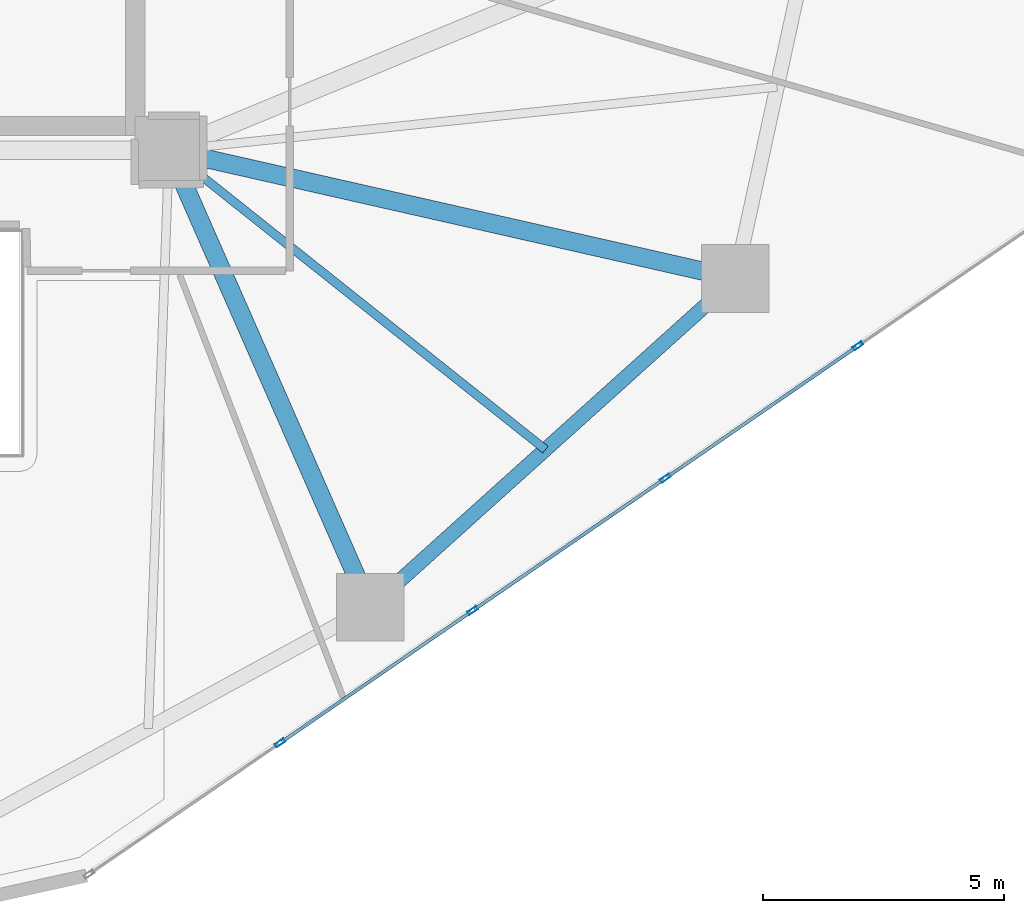
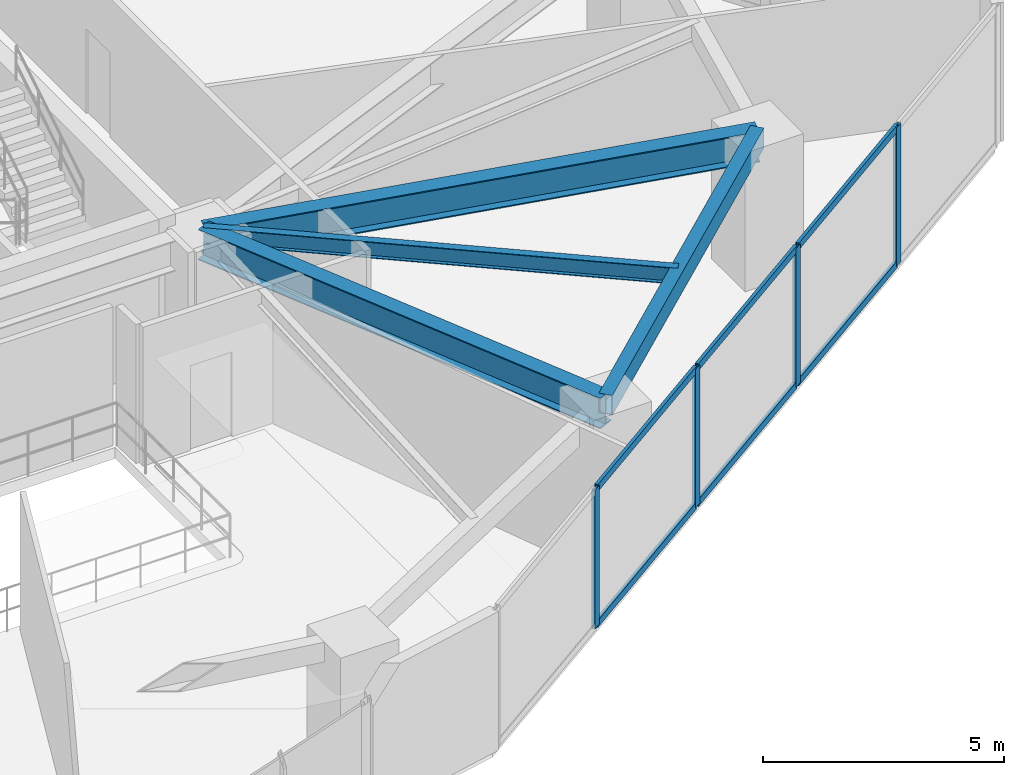
# One storey, part 8 of 21: 10 members, 4 beams, 1 element without a shape of its own.
"""IFC4 building model written with IfcOpenShell, lengths in metres."""

from ifc_helpers import new_model, si_unit, direction, frame, origin, origin_2d, place, context, subcontext, project, spatial, hollow_rectangle, i_section, extrude, source, transform, mapped, material, layer, layer_set, material_profile, profile_set, type_object, type_shapes, element, aggregate, save


model = new_model("IFC4")

# Units and contexts
model_context = context("Model", 3, precision=1e-05, world=origin(), true_north=direction((0.0, 1.0)))
body_context = subcontext(model_context, "Body", "Model", "MODEL_VIEW")
ifc_project = project(units=[si_unit("LENGTHUNIT", "METRE"), si_unit("AREAUNIT", "SQUARE_METRE"), si_unit("VOLUMEUNIT", "CUBIC_METRE"), si_unit("PLANEANGLEUNIT", "RADIAN"), si_unit("MASSUNIT", "GRAM", prefix="KILO")], contexts=[model_context])

# Site, building, storey
site_placement = place(None, origin())
site = spatial("IfcSite", under=ifc_project, at=site_placement, CompositionType="ELEMENT")
building_placement = place(site_placement, origin())
building = spatial("IfcBuilding", under=site, at=building_placement, Name="Talar Marvaseh", CompositionType="ELEMENT")
storey_placement = place(building_placement, frame((0.0, 0.0, 62.0)))
storey = spatial("IfcBuildingStorey", under=building, at=storey_placement, Name="L15", CompositionType="ELEMENT", Elevation=62.0)

# Beams
ifc_material_1 = material(Name="Steel S355", Category="steel")
ifc_material_profile_1 = material_profile(ifc_material_1, hollow_rectangle(XDim=0.300048828125, YDim=0.5, WallThickness=0.02001953125, at=origin_2d()), Name="RHS500x300x20")
ifc_profile_set_1 = profile_set([ifc_material_profile_1], Name="Steel S355")
beam_type_1 = type_object("IfcBeamType", Name="Zone 1 Perimeter Spandrel Beam RHS500x300x20", PredefinedType="SPANDREL", material=ifc_profile_set_1)
beam_1_placement = place(storey_placement, frame((45.0439453125, 22.840087890625, 3.27001953125), z_axis=(-0.743257224494, -0.669005753516, 0.0), x_axis=(0.669005753516, -0.743257224494, 0.0)))
element("IfcBeam", 1, at=beam_1_placement, inside=storey, type_object=beam_type_1, Name="L15 Zone 1 Perimeter Spandrel Beam RHS500x300x20", PredefinedType="SPANDREL", context=body_context, shape_type="SweptSolid", body=[
    extrude(hollow_rectangle(XDim=0.300048828125, YDim=0.5, WallThickness=0.02001953125, at=origin_2d()), origin(), (0.0, 0.0, 1.0), 10.19287109375),
])
ifc_material_profile_2 = material_profile(ifc_material_1, i_section(OverallWidth=0.381103515625, OverallDepth=0.77294921875, WebThickness=0.0166015625, FlangeThickness=0.027099609375, at=origin_2d()), Name="W760x257")
ifc_profile_set_2 = profile_set([ifc_material_profile_2], Name="Steel S355")
beam_type_2 = type_object("IfcBeamType", Name="Zone 1 Radial Floor Girder W760x257", PredefinedType="BEAM", material=ifc_profile_set_2)
beam_2_placement = place(storey_placement, frame((45.0439453125, 22.840087890625, 3.133544921875), z_axis=(-0.975296900374, 0.220898067263, 0.0), x_axis=(-0.220898067263, -0.975296900374, 0.0)))
element("IfcBeam", 2, at=beam_2_placement, inside=storey, type_object=beam_type_2, Name="L15 Zone 1 Radial Floor Girder W760x257", PredefinedType="BEAM", context=body_context, shape_type="SweptSolid", body=[
    extrude(i_section(OverallWidth=0.381103515625, OverallDepth=0.77294921875, WebThickness=0.0166015625, FlangeThickness=0.027099609375, at=origin_2d()), origin(), (0.0, 0.0, 1.0), 12.041259765625),
])
beam_3_placement = place(storey_placement, frame((37.468017578125, 16.02099609375, 3.133544921875), z_axis=(-0.402512625991, 0.915414433969, 0.0), x_axis=(-0.915414433969, -0.402512625991, 0.0)))
element("IfcBeam", 3, at=beam_3_placement, inside=storey, type_object=beam_type_2, Name="L15 Zone 1 Radial Floor Girder W760x257", PredefinedType="BEAM", context=body_context, shape_type="SweptSolid", body=[
    extrude(i_section(OverallWidth=0.381103515625, OverallDepth=0.77294921875, WebThickness=0.0166015625, FlangeThickness=0.027099609375, at=origin_2d()), origin(), (0.0, 0.0, 1.0), 10.35498046875),
])
ifc_material_profile_3 = material_profile(ifc_material_1, i_section(OverallWidth=0.179931640625, OverallDepth=0.4130859375, WebThickness=0.009765625, FlangeThickness=0.01611328125, at=origin_2d()), Name="W410x75")
ifc_profile_set_3 = profile_set([ifc_material_profile_3], Name="Steel S355")
beam_type_3 = type_object("IfcBeamType", Name="Zone 1 Secondary Floor Joist W410x75", PredefinedType="JOIST", material=ifc_profile_set_3)
beam_4_placement = place(storey_placement, frame((41.1044921875, 19.294189453125, 3.3134765625), z_axis=(-0.782711925261, 0.622384159546, 0.0), x_axis=(-0.622384159546, -0.782711925261, 0.0)))
element("IfcBeam", 4, at=beam_4_placement, inside=storey, type_object=beam_type_3, Name="L15 Zone 1 Secondary Floor Joist W410x75", PredefinedType="JOIST", context=body_context, shape_type="SweptSolid", body=[
    extrude(i_section(OverallWidth=0.179931640625, OverallDepth=0.4130859375, WebThickness=0.009765625, FlangeThickness=0.01611328125, at=origin_2d()), origin(), (0.0, 0.0, 1.0), 9.970947265625),
])

# Curtain wall, members
ifc_material_2 = material(Name="Architectural Aluminium", Category="aluminium")
ifc_layer = layer(ifc_material_2, 0.219970703125)
ifc_layer_set = layer_set([ifc_layer], Name="Architectural Aluminium")
curtain_wall_type = type_object("IfcCurtainWallType", Name="Unitised Low-E Museum Curtain Wall Z1", PredefinedType="NOTDEFINED", material=ifc_layer_set)
curtain_wall_placement = place(storey_placement, origin())
curtain_wall = element("IfcCurtainWall", 5, at=curtain_wall_placement, inside=storey, type_object=curtain_wall_type, Name="L15 Unitised Low-E Museum Curtain Wall Z1", PredefinedType="NOTDEFINED")
ifc_material_profile_4 = material_profile(ifc_material_2, hollow_rectangle(XDim=0.080078125, YDim=0.219970703125, WallThickness=0.0048828125, at=origin_2d()), Name="RHS220x80x5")
ifc_profile_set_4 = profile_set([ifc_material_profile_4], Name="Architectural Aluminium")
member_type_1 = type_object("IfcMemberType", Name="Unitised Curtain Wall Heavy Mullion RHS220x80x5", PredefinedType="MULLION", material=ifc_profile_set_4)
shared_shape_1 = source(origin(), body_context, "Body", "SweptSolid", [
    extrude(hollow_rectangle(XDim=0.080078125, YDim=0.219970703125, WallThickness=0.0048828125, at=origin_2d()), origin(), (0.0, 0.0, 1.0), 3.52001953125),
])
type_shapes(member_type_1, [shared_shape_1])
member_1_placement = place(storey_placement, frame((47.583984375, 21.444091796875, 0.0), z_axis=(0.0, 0.0, 1.0), x_axis=(0.566276537013, -0.824215313877, 0.0)))
member_1 = element("IfcMember", 6, at=member_1_placement, type_object=member_type_1, Name="CW-Z1 mullion 2", PredefinedType="MULLION", context=body_context, shape_type="MappedRepresentation", body=[
    mapped(shared_shape_1, transform((0.0, 0.0, 0.0), x_axis=(1.0, 0.0, 0.0), y_axis=(0.0, 1.0, 0.0), z_axis=(0.0, 0.0, 1.0), scale=1.0)),
])
member_2_placement = place(storey_placement, frame((43.590576171875, 18.7001953125, 0.0), z_axis=(0.0, 0.0, 1.0), x_axis=(0.566276537013, -0.824215313877, 0.0)))
member_2 = element("IfcMember", 7, at=member_2_placement, type_object=member_type_1, Name="CW-Z1 mullion 3", PredefinedType="MULLION", context=body_context, shape_type="MappedRepresentation", body=[
    mapped(shared_shape_1, transform((0.0, 0.0, 0.0), x_axis=(1.0, 0.0, 0.0), y_axis=(0.0, 1.0, 0.0), z_axis=(0.0, 0.0, 1.0), scale=1.0)),
])
member_3_placement = place(storey_placement, frame((39.596923828125, 15.956298828125, 0.0), z_axis=(0.0, 0.0, 1.0), x_axis=(0.566276537013, -0.824215313877, 0.0)))
member_3 = element("IfcMember", 8, at=member_3_placement, type_object=member_type_1, Name="CW-Z1 mullion 4", PredefinedType="MULLION", context=body_context, shape_type="MappedRepresentation", body=[
    mapped(shared_shape_1, transform((0.0, 0.0, 0.0), x_axis=(1.0, 0.0, 0.0), y_axis=(0.0, 1.0, 0.0), z_axis=(0.0, 0.0, 1.0), scale=1.0)),
])
member_4_placement = place(storey_placement, frame((35.603271484375, 13.212646484375, 0.0), z_axis=(0.0, 0.0, 1.0), x_axis=(0.566276537013, -0.824215313877, 0.0)))
member_4 = element("IfcMember", 9, at=member_4_placement, type_object=member_type_1, Name="CW-Z1 mullion 5", PredefinedType="MULLION", context=body_context, shape_type="MappedRepresentation", body=[
    mapped(shared_shape_1, transform((0.0, 0.0, 0.0), x_axis=(1.0, 0.0, 0.0), y_axis=(0.0, 1.0, 0.0), z_axis=(0.0, 0.0, 1.0), scale=1.0)),
])
ifc_material_profile_5 = material_profile(ifc_material_2, hollow_rectangle(XDim=0.074951171875, YDim=0.179931640625, WallThickness=0.0048828125, at=origin_2d()), Name="RHS180x75x5")
ifc_profile_set_5 = profile_set([ifc_material_profile_5], Name="Architectural Aluminium")
member_type_2 = type_object("IfcMemberType", Name="Unitised Curtain Wall Transom RHS180x75x5", PredefinedType="USERDEFINED", material=ifc_profile_set_5)
shared_shape_2 = source(origin(), body_context, "Body", "SweptSolid", [
    extrude(hollow_rectangle(XDim=0.074951171875, YDim=0.179931640625, WallThickness=0.0048828125, at=origin_2d()), origin(), (0.0, 0.0, 1.0), 4.765380859375),
])
member_5_placement = place(storey_placement, frame((43.5576171875, 18.677490234375, 0.03759765625), z_axis=(-0.824221263024, -0.566267877934, 0.0), x_axis=(0.566267877934, -0.824221263024, 0.0)))
member_5 = element("IfcMember", 10, at=member_5_placement, type_object=member_type_2, Name="CW-Z1 transom 3.1", ObjectType="TRANSOM", PredefinedType="USERDEFINED", context=body_context, shape_type="MappedRepresentation", body=[
    mapped(shared_shape_2, transform((0.0, 0.0, 0.0), x_axis=(1.0, 0.0, 0.0), y_axis=(0.0, 1.0, 0.0), z_axis=(0.0, 0.0, 1.0), scale=1.0)),
])
member_6_placement = place(storey_placement, frame((43.5576171875, 18.677490234375, 3.482421875), z_axis=(-0.824221263024, -0.566267877934, 0.0), x_axis=(0.566267877934, -0.824221263024, 0.0)))
member_6 = element("IfcMember", 11, at=member_6_placement, type_object=member_type_2, Name="CW-Z1 transom 3.2", ObjectType="TRANSOM", PredefinedType="USERDEFINED", context=body_context, shape_type="MappedRepresentation", body=[
    mapped(shared_shape_2, transform((0.0, 0.0, 0.0), x_axis=(1.0, 0.0, 0.0), y_axis=(0.0, 1.0, 0.0), z_axis=(0.0, 0.0, 1.0), scale=1.0)),
])
member_7_placement = place(storey_placement, frame((39.56396484375, 15.933837890625, 0.03759765625), z_axis=(-0.824221263024, -0.566267877934, 0.0), x_axis=(0.566267877934, -0.824221263024, 0.0)))
member_7 = element("IfcMember", 12, at=member_7_placement, type_object=member_type_2, Name="CW-Z1 transom 4.1", ObjectType="TRANSOM", PredefinedType="USERDEFINED", context=body_context, shape_type="MappedRepresentation", body=[
    mapped(shared_shape_2, transform((0.0, 0.0, 0.0), x_axis=(1.0, 0.0, 0.0), y_axis=(0.0, 1.0, 0.0), z_axis=(0.0, 0.0, 1.0), scale=1.0)),
])
member_8_placement = place(storey_placement, frame((39.56396484375, 15.933837890625, 3.482421875), z_axis=(-0.824221263024, -0.566267877934, 0.0), x_axis=(0.566267877934, -0.824221263024, 0.0)))
member_8 = element("IfcMember", 13, at=member_8_placement, type_object=member_type_2, Name="CW-Z1 transom 4.2", ObjectType="TRANSOM", PredefinedType="USERDEFINED", context=body_context, shape_type="MappedRepresentation", body=[
    mapped(shared_shape_2, transform((0.0, 0.0, 0.0), x_axis=(1.0, 0.0, 0.0), y_axis=(0.0, 1.0, 0.0), z_axis=(0.0, 0.0, 1.0), scale=1.0)),
])
shared_shape_3 = source(origin(), body_context, "Body", "SweptSolid", [
    extrude(hollow_rectangle(XDim=0.074951171875, YDim=0.179931640625, WallThickness=0.0048828125, at=origin_2d()), origin(), (0.0, 0.0, 1.0), 4.76513671875),
])
type_shapes(member_type_2, [shared_shape_2, shared_shape_3])
member_9_placement = place(storey_placement, frame((47.551025390625, 21.42138671875, 0.03759765625), z_axis=(-0.824204833948, -0.566291790243, 0.0), x_axis=(0.566291790243, -0.824204833948, 0.0)))
member_9 = element("IfcMember", 14, at=member_9_placement, type_object=member_type_2, Name="CW-Z1 transom 2.1", ObjectType="TRANSOM", PredefinedType="USERDEFINED", context=body_context, shape_type="MappedRepresentation", body=[
    mapped(shared_shape_3, transform((0.0, 0.0, 0.0), x_axis=(1.0, 0.0, 0.0), y_axis=(0.0, 1.0, 0.0), z_axis=(0.0, 0.0, 1.0), scale=1.0)),
])
member_10_placement = place(storey_placement, frame((47.551025390625, 21.42138671875, 3.482421875), z_axis=(-0.824204833948, -0.566291790243, 0.0), x_axis=(0.566291790243, -0.824204833948, 0.0)))
member_10 = element("IfcMember", 15, at=member_10_placement, type_object=member_type_2, Name="CW-Z1 transom 2.2", ObjectType="TRANSOM", PredefinedType="USERDEFINED", context=body_context, shape_type="MappedRepresentation", body=[
    mapped(shared_shape_3, transform((0.0, 0.0, 0.0), x_axis=(1.0, 0.0, 0.0), y_axis=(0.0, 1.0, 0.0), z_axis=(0.0, 0.0, 1.0), scale=1.0)),
])
aggregate(curtain_wall, [member_1, member_2, member_3, member_4, member_9, member_10, member_5, member_6, member_7, member_8])

save(model, "model.ifc")
